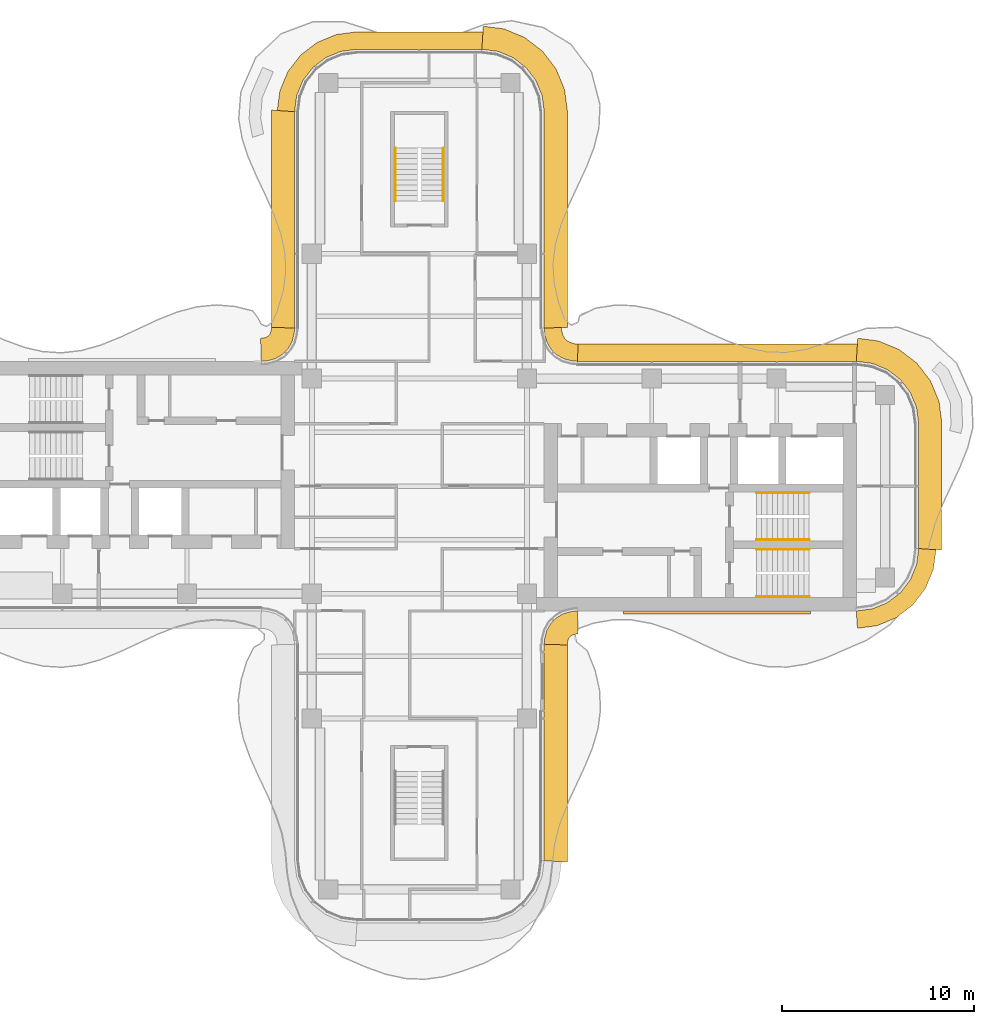
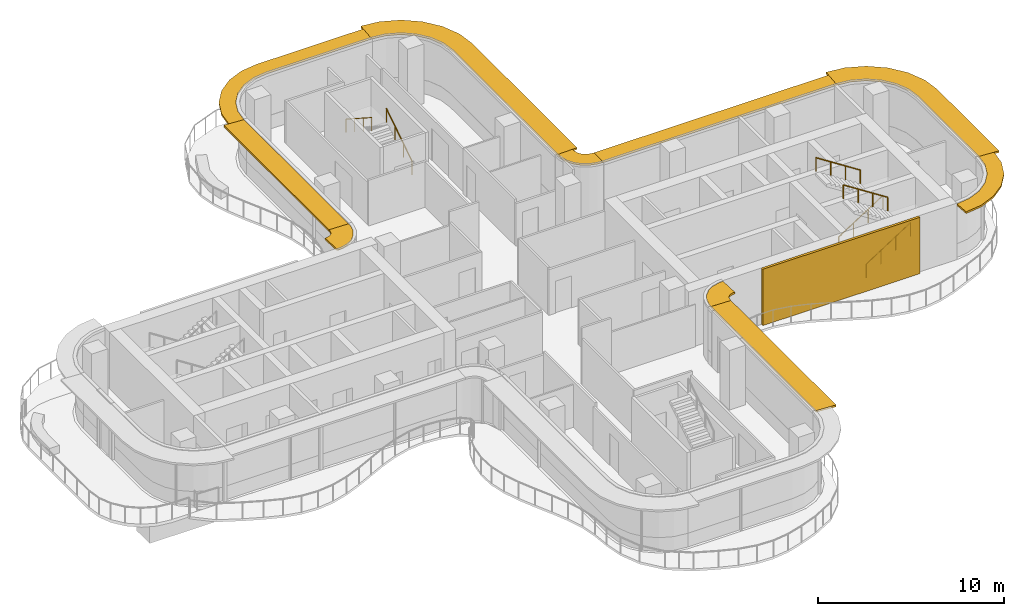
# One storey, part 17 of 17: 10 shading devices, 6 railings, 1 covering.
"""IFC4 building model written with IfcOpenShell, lengths in metres."""

from ifc_helpers import new_model, si_unit, direction, frame, origin, origin_2d, place, context, subcontext, project, spatial, polyline, circle, outline, extrude, source, transform, mapped, material, layer, layer_set, type_object, element, save


model = new_model("IFC4")

# Units and contexts
model_context = context("Model", 3, precision=1e-05, world=origin(), true_north=direction((0.0, 1.0)))
body_context = subcontext(model_context, "Body", "Model", "MODEL_VIEW")
ifc_project = project(units=[si_unit("LENGTHUNIT", "METRE"), si_unit("AREAUNIT", "SQUARE_METRE"), si_unit("VOLUMEUNIT", "CUBIC_METRE"), si_unit("PLANEANGLEUNIT", "RADIAN"), si_unit("MASSUNIT", "GRAM", prefix="KILO")], contexts=[model_context])

# Site, building, storey
site_placement = place(None, origin())
site = spatial("IfcSite", under=ifc_project, at=site_placement, CompositionType="ELEMENT")
building_placement = place(site_placement, origin())
building = spatial("IfcBuilding", under=site, at=building_placement, Name="Trellis Farm Tower", CompositionType="ELEMENT")
storey_placement = place(building_placement, frame((0.0, 0.0, 279.39990234375)))
storey = spatial("IfcBuildingStorey", under=building, at=storey_placement, Name="L62", CompositionType="ELEMENT", Elevation=279.39990234375)

# Railings
ifc_material_1 = material(Name="Stainless steel", Category="steel")
railing_type = type_object("IfcRailingType", Name="STAIR HANDRAIL 900", PredefinedType="HANDRAIL", material=ifc_material_1)
shared_shape_1 = source(origin(), body_context, "Body", "SweptSolid", [
    extrude(circle(Radius=0.02392578125, at=origin_2d()), frame((0.0, 0.0, 0.8759765625), z_axis=(0.0, 0.840503830235, 0.541805602924), x_axis=(-1.0, 0.0, 0.0)), (0.0, 0.0, 1.0), 3.271728515625),
    extrude(circle(Radius=0.02099609375, at=origin_2d()), origin(), (0.0, 0.0, 1.0), 0.851806640625),
    extrude(circle(Radius=0.02099609375, at=origin_2d()), frame((0.0, 0.916748046875, 0.5908203125)), (0.0, 0.0, 1.0), 0.851806640625),
    extrude(circle(Radius=0.02099609375, at=origin_2d()), frame((0.0, 1.833251953125, 1.181884765625)), (0.0, 0.0, 1.0), 0.851806640625),
    extrude(circle(Radius=0.02099609375, at=origin_2d()), frame((0.0, 2.75, 1.772705078125)), (0.0, 0.0, 1.0), 0.851806640625),
])
railing_1_placement = place(storey_placement, frame((1.25, 14.85009765625, 0.177490234375)))
element("IfcRailing", 1, at=railing_1_placement, inside=storey, type_object=railing_type, Name="Stair handrail", PredefinedType="HANDRAIL", context=body_context, shape_type="MappedRepresentation", body=[
    mapped(shared_shape_1, transform((0.0, 0.0, 0.0))),
])
shared_shape_2 = source(origin(), body_context, "Body", "SweptSolid", [
    extrude(circle(Radius=0.02392578125, at=origin_2d()), frame((0.0, 0.0, 0.8759765625), z_axis=(0.0, -0.840503830235, 0.541805602924), x_axis=(1.0, 0.0, 0.0)), (0.0, 0.0, 1.0), 3.271728515625),
    extrude(circle(Radius=0.02099609375, at=origin_2d()), origin(), (0.0, 0.0, 1.0), 0.851806640625),
    extrude(circle(Radius=0.02099609375, at=origin_2d()), frame((0.0, -0.916748046875, 0.5908203125)), (0.0, 0.0, 1.0), 0.851806640625),
    extrude(circle(Radius=0.02099609375, at=origin_2d()), frame((0.0, -1.833251953125, 1.181884765625)), (0.0, 0.0, 1.0), 0.851806640625),
    extrude(circle(Radius=0.02099609375, at=origin_2d()), frame((0.0, -2.75, 1.772705078125)), (0.0, 0.0, 1.0), 0.851806640625),
])
railing_2_placement = place(storey_placement, frame((-1.25, 17.60009765625, 2.12744140625)))
element("IfcRailing", 2, at=railing_2_placement, inside=storey, type_object=railing_type, Name="Stair handrail", PredefinedType="HANDRAIL", context=body_context, shape_type="MappedRepresentation", body=[
    mapped(shared_shape_2, transform((0.0, 0.0, 0.0))),
])
shared_shape_3 = source(origin(), body_context, "Body", "SweptSolid", [
    extrude(circle(Radius=0.02392578125, at=origin_2d()), frame((0.0, 0.0, 0.8759765625), z_axis=(0.840503830235, 0.0, 0.541805602924), x_axis=(0.0, 1.0, 0.0)), (0.0, 0.0, 1.0), 3.271728515625),
    extrude(circle(Radius=0.02099609375, at=origin_2d()), origin(), (0.0, 0.0, 1.0), 0.851806640625),
    extrude(circle(Radius=0.02099609375, at=origin_2d()), frame((0.916748046875, 0.0, 0.5908203125)), (0.0, 0.0, 1.0), 0.851806640625),
    extrude(circle(Radius=0.02099609375, at=origin_2d()), frame((1.833251953125, 0.0, 1.181884765625)), (0.0, 0.0, 1.0), 0.851806640625),
    extrude(circle(Radius=0.02099609375, at=origin_2d()), frame((2.75, 0.0, 1.772705078125)), (0.0, 0.0, 1.0), 0.851806640625),
])
for number, where, name in (
    (3, (17.550048828125, -5.75, 0.177490234375), "Stair handrail"),
    (4, (17.550048828125, -2.800048828125, 0.177490234375), "Stair handrail"),
):
    element("IfcRailing", number, at=place(storey_placement, frame(where)), inside=storey, type_object=railing_type, Name=name, PredefinedType="HANDRAIL", context=body_context, shape_type="MappedRepresentation", body=[
        mapped(shared_shape_3, transform((0.0, 0.0, 0.0))),
    ])
shared_shape_4 = source(origin(), body_context, "Body", "SweptSolid", [
    extrude(circle(Radius=0.02392578125, at=origin_2d()), frame((0.0, 0.0, 0.8759765625), z_axis=(-0.840503830235, 0.0, 0.541805602924), x_axis=(0.0, -1.0, 0.0)), (0.0, 0.0, 1.0), 3.271728515625),
    extrude(circle(Radius=0.02099609375, at=origin_2d()), origin(), (0.0, 0.0, 1.0), 0.851806640625),
    extrude(circle(Radius=0.02099609375, at=origin_2d()), frame((-0.916748046875, 0.0, 0.5908203125)), (0.0, 0.0, 1.0), 0.851806640625),
    extrude(circle(Radius=0.02099609375, at=origin_2d()), frame((-1.833251953125, 0.0, 1.181884765625)), (0.0, 0.0, 1.0), 0.851806640625),
    extrude(circle(Radius=0.02099609375, at=origin_2d()), frame((-2.75, 0.0, 1.772705078125)), (0.0, 0.0, 1.0), 0.851806640625),
])
for number, where, name in (
    (5, (20.300048828125, -3.300048828125, 2.12744140625), "Stair handrail"),
    (6, (20.300048828125, -0.35009765625, 2.12744140625), "Stair handrail"),
):
    element("IfcRailing", number, at=place(storey_placement, frame(where)), inside=storey, type_object=railing_type, Name=name, PredefinedType="HANDRAIL", context=body_context, shape_type="MappedRepresentation", body=[
        mapped(shared_shape_4, transform((0.0, 0.0, 0.0))),
    ])

# Shading devices
ifc_material_2 = material(Name="Aluminium extrusion 6063-T6", Category="aluminium")
ifc_layer_1 = layer(ifc_material_2, 0.1201171875)
ifc_layer_set_1 = layer_set([ifc_layer_1], Name="SUNSHADE BLADE 1200")
shading_device_type_1 = type_object("IfcShadingDeviceType", Name="SUNSHADE BLADE 1200", PredefinedType="USERDEFINED", material=ifc_layer_set_1)
shared_shape_5 = source(origin(), body_context, "Body", "SweptSolid", [
    extrude(outline(polyline([(7.699951171875, -8.270751953125), (7.708740234375, -8.13720703125), (7.70703125, -8.150146484375), (7.7548828125, -7.9716796875), (7.80712890625, -7.881103515625), (7.881103515625, -7.80712890625), (7.9716796875, -7.7548828125), (8.150146484375, -7.70703125), (8.13720703125, -7.708740234375), (8.270751953125, -7.699951171875), (8.2314453125, -6.5), (8.01953125, -6.513916015625), (7.91552734375, -6.527587890625), (7.508544921875, -6.63671875), (7.144287109375, -6.846923828125), (6.846923828125, -7.144287109375), (6.63671875, -7.508544921875), (6.527587890625, -7.91552734375), (6.513916015625, -8.01953125), (6.5, -8.2314453125), (7.699951171875, -8.270751953125)])), origin(), (0.0, 0.0, 1.0), 0.1201171875),
])
placement = place(storey_placement, frame((0.0, 0.0, 3.5400390625)))
element("IfcShadingDevice", 7, at=placement, inside=storey, type_object=shading_device_type_1, Name="SD2 006", ObjectType="SUNSHADE", PredefinedType="USERDEFINED", context=body_context, shape_type="MappedRepresentation", body=[
    mapped(shared_shape_5, transform((0.0, 0.0, 0.0))),
])
ifc_layer_2 = layer(ifc_material_2, 0.1201171875)
ifc_layer_set_2 = layer_set([ifc_layer_2], Name="SUNSHADE BLADE 900")
shading_device_type_2 = type_object("IfcShadingDeviceType", Name="SUNSHADE BLADE 900", PredefinedType="USERDEFINED", material=ifc_layer_set_2)
shared_shape_6 = source(origin(), body_context, "Body", "SweptSolid", [
    extrude(outline(polyline([(8.2607421875, 7.39990234375), (8.107666015625, 7.409912109375), (8.091552734375, 7.412109375), (7.85595703125, 7.475341796875), (7.697021484375, 7.567138671875), (7.567138671875, 7.697021484375), (7.475341796875, 7.85595703125), (7.412109375, 8.091552734375), (7.409912109375, 8.107666015625), (7.39990234375, 8.2607421875), (6.5, 8.2314453125), (6.513916015625, 8.01953125), (6.527587890625, 7.91552734375), (6.63671875, 7.508544921875), (6.846923828125, 7.144287109375), (7.144287109375, 6.846923828125), (7.508544921875, 6.63671875), (7.91552734375, 6.527587890625), (8.01953125, 6.513916015625), (8.2314453125, 6.5), (8.2607421875, 7.39990234375)])), origin(), (0.0, 0.0, 1.0), 0.1201171875),
])
element("IfcShadingDevice", 8, at=placement, inside=storey, type_object=shading_device_type_2, Name="SD1 010", ObjectType="SUNSHADE", PredefinedType="USERDEFINED", context=body_context, shape_type="MappedRepresentation", body=[
    mapped(shared_shape_6, transform((0.0, 0.0, 0.0))),
])
shared_shape_7 = source(origin(), body_context, "Body", "SweptSolid", [
    extrude(outline(polyline([(-7.699951171875, 8.270751953125), (-7.708740234375, 8.13720703125), (-7.70703125, 8.150146484375), (-7.7548828125, 7.9716796875), (-7.80712890625, 7.881103515625), (-7.881103515625, 7.80712890625), (-7.9716796875, 7.7548828125), (-8.150146484375, 7.70703125), (-8.13720703125, 7.708740234375), (-8.270751953125, 7.699951171875), (-8.2314453125, 6.5), (-8.01953125, 6.513916015625), (-7.91552734375, 6.527587890625), (-7.508544921875, 6.63671875), (-7.144287109375, 6.846923828125), (-6.846923828125, 7.144287109375), (-6.63671875, 7.508544921875), (-6.527587890625, 7.91552734375), (-6.513916015625, 8.01953125), (-6.5, 8.2314453125), (-7.699951171875, 8.270751953125)])), origin(), (0.0, 0.0, 1.0), 0.1201171875),
])
element("IfcShadingDevice", 9, at=placement, inside=storey, type_object=shading_device_type_1, Name="SD2 014", ObjectType="SUNSHADE", PredefinedType="USERDEFINED", context=body_context, shape_type="MappedRepresentation", body=[
    mapped(shared_shape_7, transform((0.0, 0.0, 0.0))),
])
shared_shape_8 = source(origin(), body_context, "Body", "SweptSolid", [
    extrude(outline(polyline([(7.699951171875, 8.270751953125), (7.699951171875, 19.57861328125), (7.558349609375, 20.654541015625), (7.11279296875, 21.730224609375), (6.404052734375, 22.654052734375), (5.480224609375, 23.36279296875), (4.404541015625, 23.808349609375), (3.32861328125, 23.949951171875), (3.25, 22.75), (4.091064453125, 22.63916015625), (4.875, 22.314697265625), (5.548095703125, 21.798095703125), (6.064697265625, 21.125), (6.38916015625, 20.341064453125), (6.5, 19.5), (6.5, 8.2314453125), (7.699951171875, 8.270751953125)])), origin(), (0.0, 0.0, 1.0), 0.1201171875),
])
element("IfcShadingDevice", 10, at=placement, inside=storey, type_object=shading_device_type_1, Name="SD2 011", ObjectType="SUNSHADE", PredefinedType="USERDEFINED", context=body_context, shape_type="MappedRepresentation", body=[
    mapped(shared_shape_8, transform((0.0, 0.0, 0.0))),
])
shared_shape_9 = source(origin(), body_context, "Body", "SweptSolid", [
    extrude(outline(polyline([(3.30908203125, 23.64990234375), (-3.30908203125, 23.64990234375), (-4.326171875, 23.51611328125), (-5.328857421875, 23.100830078125), (-6.18994140625, 22.43994140625), (-6.850830078125, 21.578857421875), (-7.26611328125, 20.576171875), (-7.39990234375, 19.55908203125), (-6.5, 19.5), (-6.38916015625, 20.341064453125), (-6.064697265625, 21.125), (-5.548095703125, 21.798095703125), (-4.875, 22.314697265625), (-4.091064453125, 22.63916015625), (-3.25, 22.75), (3.25, 22.75), (3.30908203125, 23.64990234375)])), origin(), (0.0, 0.0, 1.0), 0.1201171875),
])
element("IfcShadingDevice", 11, at=placement, inside=storey, type_object=shading_device_type_2, Name="SD1 012", ObjectType="SUNSHADE", PredefinedType="USERDEFINED", context=body_context, shape_type="MappedRepresentation", body=[
    mapped(shared_shape_9, transform((0.0, 0.0, 0.0))),
])
shared_shape_10 = source(origin(), body_context, "Body", "SweptSolid", [
    extrude(outline(polyline([(-7.699951171875, 19.57861328125), (-7.699951171875, 8.270751953125), (-6.5, 8.2314453125), (-6.5, 19.5), (-7.699951171875, 19.57861328125)])), origin(), (0.0, 0.0, 1.0), 0.1201171875),
])
element("IfcShadingDevice", 12, at=placement, inside=storey, type_object=shading_device_type_1, Name="SD2 013", ObjectType="SUNSHADE", PredefinedType="USERDEFINED", context=body_context, shape_type="MappedRepresentation", body=[
    mapped(shared_shape_10, transform((0.0, 0.0, 0.0))),
])
shared_shape_11 = source(origin(), body_context, "Body", "SweptSolid", [
    extrude(outline(polyline([(22.80908203125, -7.39990234375), (23.826171875, -7.26611328125), (24.828857421875, -6.850830078125), (25.68994140625, -6.18994140625), (26.350830078125, -5.328857421875), (26.76611328125, -4.326171875), (26.89990234375, -3.30908203125), (26.0, -3.25), (25.88916015625, -4.091064453125), (25.564697265625, -4.875), (25.048095703125, -5.548095703125), (24.375, -6.064697265625), (23.591064453125, -6.38916015625), (22.75, -6.5), (22.80908203125, -7.39990234375)])), origin(), (0.0, 0.0, 1.0), 0.1201171875),
])
element("IfcShadingDevice", 13, at=placement, inside=storey, type_object=shading_device_type_2, Name="SD1 007", ObjectType="SUNSHADE", PredefinedType="USERDEFINED", context=body_context, shape_type="MappedRepresentation", body=[
    mapped(shared_shape_11, transform((0.0, 0.0, 0.0))),
])
shared_shape_12 = source(origin(), body_context, "Body", "SweptSolid", [
    extrude(outline(polyline([(27.199951171875, -3.32861328125), (27.199951171875, 3.32861328125), (27.058349609375, 4.404541015625), (26.61279296875, 5.480224609375), (25.904052734375, 6.404052734375), (24.980224609375, 7.11279296875), (23.904541015625, 7.558349609375), (22.82861328125, 7.699951171875), (22.75, 6.5), (23.591064453125, 6.38916015625), (24.375, 6.064697265625), (25.048095703125, 5.548095703125), (25.564697265625, 4.875), (25.88916015625, 4.091064453125), (26.0, 3.25), (26.0, -3.25), (27.199951171875, -3.32861328125)])), origin(), (0.0, 0.0, 1.0), 0.1201171875),
])
element("IfcShadingDevice", 14, at=placement, inside=storey, type_object=shading_device_type_1, Name="SD2 008", ObjectType="SUNSHADE", PredefinedType="USERDEFINED", context=body_context, shape_type="MappedRepresentation", body=[
    mapped(shared_shape_12, transform((0.0, 0.0, 0.0))),
])
shared_shape_13 = source(origin(), body_context, "Body", "SweptSolid", [
    extrude(outline(polyline([(22.80908203125, 7.39990234375), (8.2607421875, 7.39990234375), (8.2314453125, 6.5), (22.75, 6.5), (22.80908203125, 7.39990234375)])), origin(), (0.0, 0.0, 1.0), 0.1201171875),
])
element("IfcShadingDevice", 15, at=placement, inside=storey, type_object=shading_device_type_2, Name="SD1 009", ObjectType="SUNSHADE", PredefinedType="USERDEFINED", context=body_context, shape_type="MappedRepresentation", body=[
    mapped(shared_shape_13, transform((0.0, 0.0, 0.0))),
])
shared_shape_14 = source(origin(), body_context, "Body", "SweptSolid", [
    extrude(outline(polyline([(7.699951171875, -19.57861328125), (7.699951171875, -8.270751953125), (6.5, -8.2314453125), (6.5, -19.5), (7.699951171875, -19.57861328125)])), origin(), (0.0, 0.0, 1.0), 0.1201171875),
])
element("IfcShadingDevice", 16, at=placement, inside=storey, type_object=shading_device_type_1, Name="SD2 005", ObjectType="SUNSHADE", PredefinedType="USERDEFINED", context=body_context, shape_type="MappedRepresentation", body=[
    mapped(shared_shape_14, transform((0.0, 0.0, 0.0))),
])

# Covering
ifc_material_3 = material(Name="Perforated precast screen (cobogo)", Category="concrete")
ifc_layer_3 = layer(ifc_material_3, 0.14990234375)
ifc_layer_set_3 = layer_set([ifc_layer_3], Name="COBOGO SCREEN PANEL")
covering_type = type_object("IfcCoveringType", Name="COBOGO SCREEN PANEL", PredefinedType="USERDEFINED", material=ifc_layer_set_3)
shared_shape_15 = source(origin(), body_context, "Body", "SweptSolid", [
    extrude(outline(polyline([(10.61572265625, -6.64990234375), (20.36572265625, -6.64990234375), (20.36572265625, -6.5), (10.61572265625, -6.5), (10.61572265625, -6.64990234375)])), origin(), (0.0, 0.0, 1.0), 3.7001953125),
])
covering_placement = place(storey_placement, origin())
element("IfcCovering", 17, at=covering_placement, inside=storey, type_object=covering_type, Name="SC1 01", ObjectType="SCREEN", PredefinedType="USERDEFINED", context=body_context, shape_type="MappedRepresentation", body=[
    mapped(shared_shape_15, transform((0.0, 0.0, 0.0))),
])

save(model, "model.ifc")
